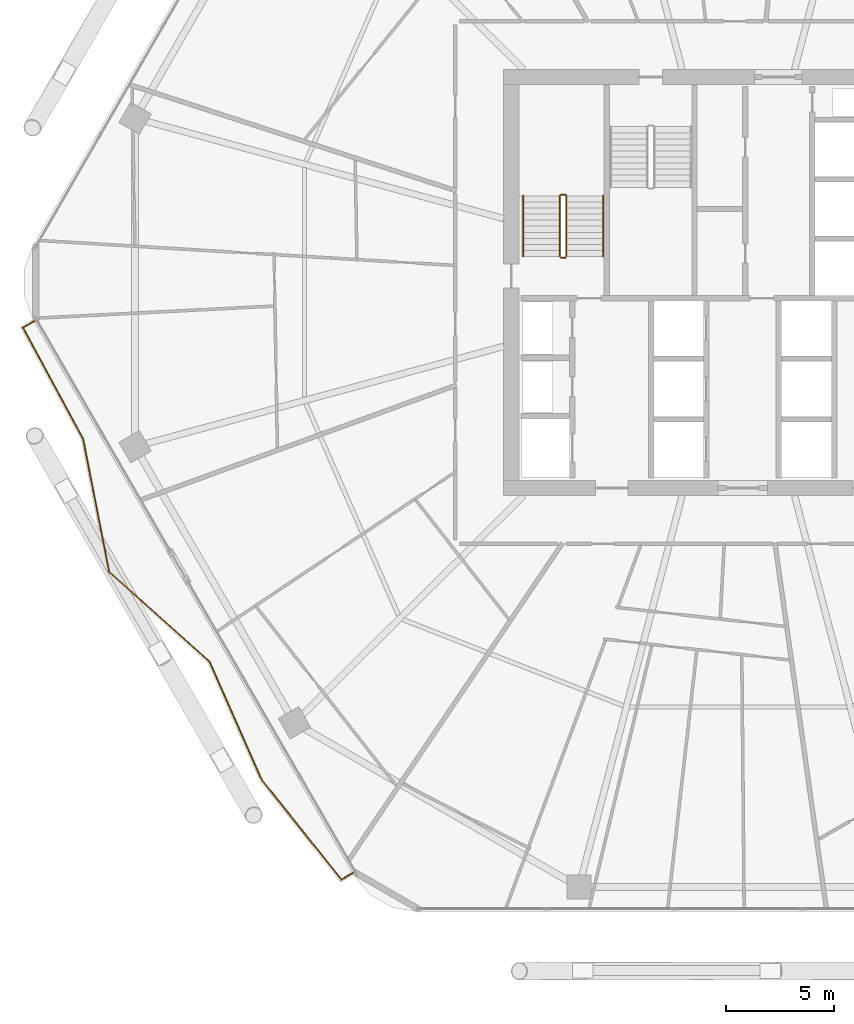
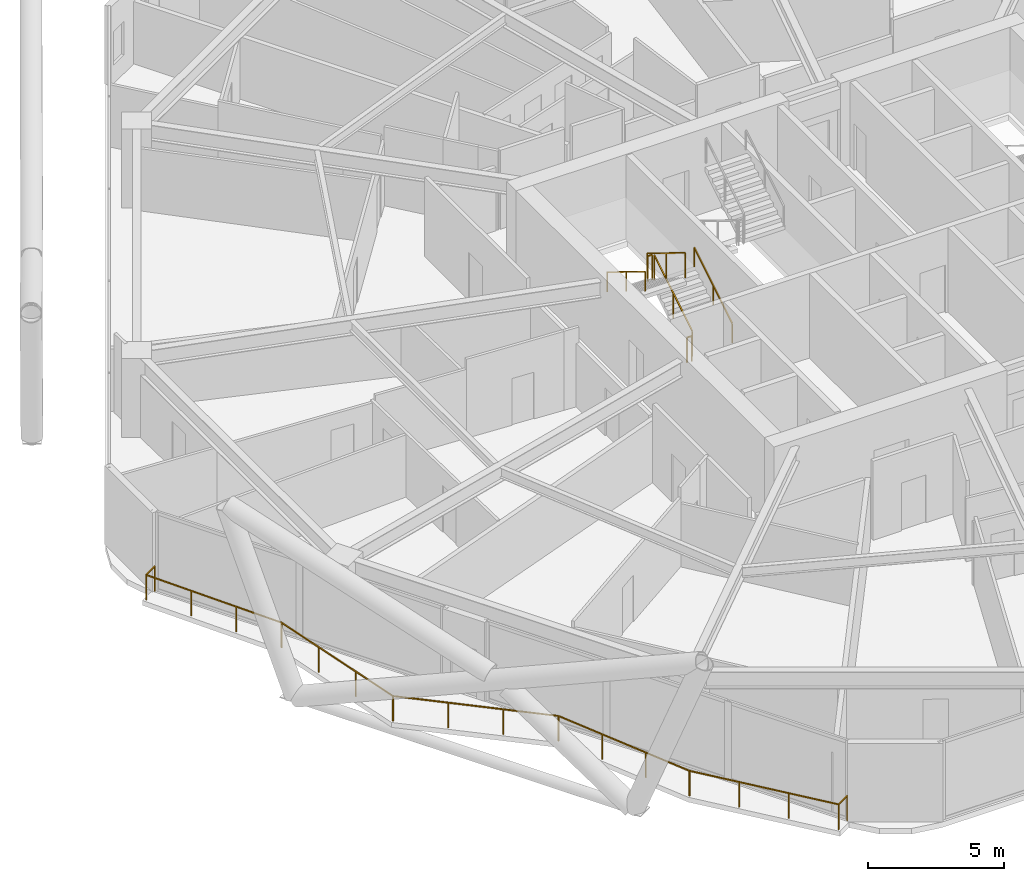
# One storey, part 32 of 34: 7 railings.
"""IFC4 building model written with IfcOpenShell, lengths in metres."""

from ifc_helpers import new_model, si_unit, direction, frame, origin, origin_2d, place, context, subcontext, project, spatial, rectangle, extrude, material, type_object, element, save


model = new_model("IFC4")

# Units and contexts
model_context = context("Model", 3, precision=1e-05, world=origin(), true_north=direction((0.0, 1.0)))
body_context = subcontext(model_context, "Body", "Model", "MODEL_VIEW")
ifc_project = project(units=[si_unit("LENGTHUNIT", "METRE"), si_unit("AREAUNIT", "SQUARE_METRE"), si_unit("VOLUMEUNIT", "CUBIC_METRE"), si_unit("PLANEANGLEUNIT", "RADIAN"), si_unit("MASSUNIT", "GRAM", prefix="KILO")], contexts=[model_context])

# Site, building, storey
site_placement = place(None, origin())
site = spatial("IfcSite", under=ifc_project, at=site_placement, CompositionType="ELEMENT")
building_placement = place(site_placement, origin())
building = spatial("IfcBuilding", under=site, at=building_placement, Name="Zuhravey Tower", CompositionType="ELEMENT")
storey_placement = place(building_placement, frame((0.0, 0.0, 100.0)))
storey = spatial("IfcBuildingStorey", under=building, at=storey_placement, Name="L24", CompositionType="ELEMENT", Elevation=100.0)

# Railings
ifc_material_1 = material(Name="Stainless steel 316 and laminated glass", Category="steel")
railing_type_1 = type_object("IfcRailingType", Name="Balcony & Terrace Guardrail 1150", PredefinedType="BALUSTRADE", material=ifc_material_1)
railing_1_placement = place(storey_placement, frame((18.2119140625, 4.72314453125, 0.0)))
element("IfcRailing", 1, at=railing_1_placement, inside=storey, type_object=railing_type_1, Name="L24 Face 4 Wave Balcony Guardrail GR1", PredefinedType="BALUSTRADE", context=body_context, shape_type="SweptSolid", body=[
    extrude(rectangle(XDim=0.048095703125, YDim=0.048095703125, at=origin_2d()), frame((-0.001708984375, -0.0009765625, 1.1259765625), z_axis=(-0.865936922628, -0.500153222552, 0.0), x_axis=(0.500153222552, -0.865936922628, 0.0)), (0.0, 0.0, 1.0), 0.650146484375),
    extrude(rectangle(XDim=0.048095703125, YDim=0.048095703125, at=origin_2d()), frame((-0.567626953125, -0.32568359375, 1.1259765625), z_axis=(-0.623356744001, 0.781937574049, 0.0), x_axis=(-0.781937574049, -0.623356744001, 0.0)), (0.0, 0.0, 1.0), 5.8955078125),
    extrude(rectangle(XDim=0.048095703125, YDim=0.048095703125, at=origin_2d()), frame((-4.24462890625, 4.28759765625, 1.1259765625), z_axis=(-0.404624984748, 0.914482707172, 0.0), x_axis=(-0.914482707172, -0.404624984748, 0.0)), (0.0, 0.0, 1.0), 5.969970703125),
    extrude(rectangle(XDim=0.048095703125, YDim=0.048095703125, at=origin_2d()), frame((-6.66259765625, 9.750244140625, 1.1259765625), z_axis=(-0.744693696148, 0.667406397121, 0.0), x_axis=(-0.667406397121, -0.744693696148, 0.0)), (0.0, 0.0, 1.0), 6.225341796875),
    extrude(rectangle(XDim=0.048095703125, YDim=0.048095703125, at=origin_2d()), frame((-11.300537109375, 13.908447265625, 1.1259765625), z_axis=(-0.191916769066, 0.98141120523, 0.0), x_axis=(-0.98141120523, -0.191916769066, 0.0)), (0.0, 0.0, 1.0), 6.24853515625),
    extrude(rectangle(XDim=0.048095703125, YDim=0.048095703125, at=origin_2d()), frame((-12.5009765625, 20.04443359375, 1.1259765625), z_axis=(-0.475967260889, 0.879462998973, 0.0), x_axis=(-0.879462998973, -0.475967260889, 0.0)), (0.0, 0.0, 1.0), 5.84765625),
    extrude(rectangle(XDim=0.048095703125, YDim=0.048095703125, at=origin_2d()), frame((-15.283447265625, 25.18994140625, 1.1259765625), z_axis=(0.8660843843, 0.499897828833, 0.0), x_axis=(-0.499897828833, 0.8660843843, 0.0)), (0.0, 0.0, 1.0), 0.638671875),
    extrude(rectangle(XDim=0.0419921875, YDim=0.0419921875, at=origin_2d()), origin(), (0.0, 0.0, 1.0), 1.099853515625),
    extrude(rectangle(XDim=0.0419921875, YDim=0.0419921875, at=origin_2d()), frame((-0.56640625, -0.3271484375, 0.0)), (0.0, 0.0, 1.0), 1.099853515625),
    extrude(rectangle(XDim=0.0419921875, YDim=0.0419921875, at=origin_2d()), frame((-1.792236328125, 1.21044921875, 0.0)), (0.0, 0.0, 1.0), 1.099853515625),
    extrude(rectangle(XDim=0.0419921875, YDim=0.0419921875, at=origin_2d()), frame((-3.01806640625, 2.748291015625, 0.0)), (0.0, 0.0, 1.0), 1.099853515625),
    extrude(rectangle(XDim=0.0419921875, YDim=0.0419921875, at=origin_2d()), frame((-4.243896484375, 4.285888671875, 0.0)), (0.0, 0.0, 1.0), 1.099853515625),
    extrude(rectangle(XDim=0.0419921875, YDim=0.0419921875, at=origin_2d()), frame((-5.049560546875, 6.10693359375, 0.0)), (0.0, 0.0, 1.0), 1.099853515625),
    extrude(rectangle(XDim=0.0419921875, YDim=0.0419921875, at=origin_2d()), frame((-5.85546875, 7.927978515625, 0.0)), (0.0, 0.0, 1.0), 1.099853515625),
    extrude(rectangle(XDim=0.0419921875, YDim=0.0419921875, at=origin_2d()), frame((-6.6611328125, 9.7490234375, 0.0)), (0.0, 0.0, 1.0), 1.099853515625),
    extrude(rectangle(XDim=0.0419921875, YDim=0.0419921875, at=origin_2d()), frame((-8.20751953125, 11.134765625, 0.0)), (0.0, 0.0, 1.0), 1.099853515625),
    extrude(rectangle(XDim=0.0419921875, YDim=0.0419921875, at=origin_2d()), frame((-9.753662109375, 12.520751953125, 0.0)), (0.0, 0.0, 1.0), 1.099853515625),
    extrude(rectangle(XDim=0.0419921875, YDim=0.0419921875, at=origin_2d()), frame((-11.300048828125, 13.906494140625, 0.0)), (0.0, 0.0, 1.0), 1.099853515625),
    extrude(rectangle(XDim=0.0419921875, YDim=0.0419921875, at=origin_2d()), frame((-11.699951171875, 15.951904296875, 0.0)), (0.0, 0.0, 1.0), 1.099853515625),
    extrude(rectangle(XDim=0.0419921875, YDim=0.0419921875, at=origin_2d()), frame((-12.10009765625, 17.997314453125, 0.0)), (0.0, 0.0, 1.0), 1.099853515625),
    extrude(rectangle(XDim=0.0419921875, YDim=0.0419921875, at=origin_2d()), frame((-12.5, 20.042724609375, 0.0)), (0.0, 0.0, 1.0), 1.099853515625),
    extrude(rectangle(XDim=0.0419921875, YDim=0.0419921875, at=origin_2d()), frame((-13.428466796875, 21.758056640625, 0.0)), (0.0, 0.0, 1.0), 1.099853515625),
    extrude(rectangle(XDim=0.0419921875, YDim=0.0419921875, at=origin_2d()), frame((-14.356689453125, 23.4736328125, 0.0)), (0.0, 0.0, 1.0), 1.099853515625),
    extrude(rectangle(XDim=0.0419921875, YDim=0.0419921875, at=origin_2d()), frame((-15.28515625, 25.18896484375, 0.0)), (0.0, 0.0, 1.0), 1.099853515625),
    extrude(rectangle(XDim=0.0419921875, YDim=0.0419921875, at=origin_2d()), frame((-14.728515625, 25.51025390625, 0.0)), (0.0, 0.0, 1.0), 1.099853515625),
])
ifc_material_2 = material(Name="Brushed stainless steel", Category="steel")
railing_type_2 = type_object("IfcRailingType", Name="Stair Wall Handrail 900", PredefinedType="HANDRAIL", material=ifc_material_2)
railing_2_placement = place(storey_placement, frame((29.75, 33.199951171875, 0.172607421875)))
element("IfcRailing", 2, at=railing_2_placement, inside=storey, type_object=railing_type_2, Name="L24 ST1 stair handrail 1", PredefinedType="HANDRAIL", context=body_context, shape_type="SweptSolid", body=[
    extrude(rectangle(XDim=0.048095703125, YDim=0.048095703125, at=origin_2d()), frame((0.0, 0.001708984375, 0.876953125), z_axis=(0.0, 0.851089632645, 0.525020415988), x_axis=(-1.0, 0.0, 0.0)), (0.0, 0.0, 1.0), 3.285888671875),
    extrude(rectangle(XDim=0.0419921875, YDim=0.0419921875, at=origin_2d()), origin(), (0.0, 0.0, 1.0), 0.849853515625),
    extrude(rectangle(XDim=0.0419921875, YDim=0.0419921875, at=origin_2d()), frame((0.0, 1.39990234375, 0.86376953125)), (0.0, 0.0, 1.0), 0.849853515625),
    extrude(rectangle(XDim=0.0419921875, YDim=0.0419921875, at=origin_2d()), frame((0.0, 2.800048828125, 1.727294921875)), (0.0, 0.0, 1.0), 0.849853515625),
])
railing_3_placement = place(storey_placement, frame((26.050048828125, 36.0, 2.07275390625)))
element("IfcRailing", 3, at=railing_3_placement, inside=storey, type_object=railing_type_2, Name="L24 ST1 stair handrail 2", PredefinedType="HANDRAIL", context=body_context, shape_type="SweptSolid", body=[
    extrude(rectangle(XDim=0.048095703125, YDim=0.048095703125, at=origin_2d()), frame((0.0, -0.001708984375, 0.876953125), z_axis=(0.0, -0.851089632645, 0.525020415988), x_axis=(1.0, 0.0, 0.0)), (0.0, 0.0, 1.0), 3.285888671875),
    extrude(rectangle(XDim=0.0419921875, YDim=0.0419921875, at=origin_2d()), origin(), (0.0, 0.0, 1.0), 0.849853515625),
    extrude(rectangle(XDim=0.0419921875, YDim=0.0419921875, at=origin_2d()), frame((0.0, -1.39990234375, 0.86376953125)), (0.0, 0.0, 1.0), 0.849853515625),
    extrude(rectangle(XDim=0.0419921875, YDim=0.0419921875, at=origin_2d()), frame((0.0, -2.800048828125, 1.727294921875)), (0.0, 0.0, 1.0), 0.849853515625),
])
ifc_material_3 = material(Name="Painted tubular steel", Category="steel")
railing_type_3 = type_object("IfcRailingType", Name="Stair Well Guardrail 1150", PredefinedType="GUARDRAIL", material=ifc_material_3)
railing_4_placement = place(storey_placement, frame((28.050048828125, 33.199951171875, 0.172607421875)))
element("IfcRailing", 4, at=railing_4_placement, inside=storey, type_object=railing_type_3, Name="L24 ST1 stair guard 1", PredefinedType="GUARDRAIL", context=body_context, shape_type="SweptSolid", body=[
    extrude(rectangle(XDim=0.048095703125, YDim=0.048095703125, at=origin_2d()), frame((0.0, 0.001708984375, 1.126953125), z_axis=(0.0, 0.851089632645, 0.525020415988), x_axis=(-1.0, 0.0, 0.0)), (0.0, 0.0, 1.0), 3.285888671875),
    extrude(rectangle(XDim=0.0419921875, YDim=0.0419921875, at=origin_2d()), origin(), (0.0, 0.0, 1.0), 1.099853515625),
    extrude(rectangle(XDim=0.0419921875, YDim=0.0419921875, at=origin_2d()), frame((0.0, 1.39990234375, 0.86376953125)), (0.0, 0.0, 1.0), 1.099853515625),
    extrude(rectangle(XDim=0.0419921875, YDim=0.0419921875, at=origin_2d()), frame((0.0, 2.800048828125, 1.727294921875)), (0.0, 0.0, 1.0), 1.099853515625),
])
railing_5_placement = place(storey_placement, frame((28.0, 36.050048828125, 1.89990234375)))
element("IfcRailing", 5, at=railing_5_placement, inside=storey, type_object=railing_type_3, Name="L24 ST1 stair guard 2", PredefinedType="GUARDRAIL", context=body_context, shape_type="SweptSolid", body=[
    extrude(rectangle(XDim=0.048095703125, YDim=0.048095703125, at=origin_2d()), frame((-0.001953125, 0.0, 1.1259765625), z_axis=(-1.0, 0.0, 0.0), x_axis=(0.0, -1.0, 0.0)), (0.0, 0.0, 1.0), 0.196044921875),
    extrude(rectangle(XDim=0.0419921875, YDim=0.0419921875, at=origin_2d()), origin(), (0.0, 0.0, 1.0), 1.099853515625),
    extrude(rectangle(XDim=0.0419921875, YDim=0.0419921875, at=origin_2d()), frame((-0.199951171875, 0.0, 0.0)), (0.0, 0.0, 1.0), 1.099853515625),
])
railing_6_placement = place(storey_placement, frame((27.75, 36.0, 2.07275390625)))
element("IfcRailing", 6, at=railing_6_placement, inside=storey, type_object=railing_type_3, Name="L24 ST1 stair guard 3", PredefinedType="GUARDRAIL", context=body_context, shape_type="SweptSolid", body=[
    extrude(rectangle(XDim=0.048095703125, YDim=0.048095703125, at=origin_2d()), frame((0.0, -0.001708984375, 1.126953125), z_axis=(0.0, -0.851089632645, 0.525020415988), x_axis=(1.0, 0.0, 0.0)), (0.0, 0.0, 1.0), 3.285888671875),
    extrude(rectangle(XDim=0.0419921875, YDim=0.0419921875, at=origin_2d()), origin(), (0.0, 0.0, 1.0), 1.099853515625),
    extrude(rectangle(XDim=0.0419921875, YDim=0.0419921875, at=origin_2d()), frame((0.0, -1.39990234375, 0.86376953125)), (0.0, 0.0, 1.0), 1.099853515625),
    extrude(rectangle(XDim=0.0419921875, YDim=0.0419921875, at=origin_2d()), frame((0.0, -2.800048828125, 1.727294921875)), (0.0, 0.0, 1.0), 1.099853515625),
])
railing_7_placement = place(storey_placement, frame((28.0, 33.14990234375, 0.0)))
element("IfcRailing", 7, at=railing_7_placement, inside=storey, type_object=railing_type_3, Name="L24 ST1 stair guard 4", PredefinedType="GUARDRAIL", context=body_context, shape_type="SweptSolid", body=[
    extrude(rectangle(XDim=0.048095703125, YDim=0.048095703125, at=origin_2d()), frame((-0.001953125, 0.0, 1.1259765625), z_axis=(-1.0, 0.0, 0.0), x_axis=(0.0, -1.0, 0.0)), (0.0, 0.0, 1.0), 0.196044921875),
    extrude(rectangle(XDim=0.0419921875, YDim=0.0419921875, at=origin_2d()), origin(), (0.0, 0.0, 1.0), 1.099853515625),
    extrude(rectangle(XDim=0.0419921875, YDim=0.0419921875, at=origin_2d()), frame((-0.199951171875, 0.0, 0.0)), (0.0, 0.0, 1.0), 1.099853515625),
])

save(model, "model.ifc")
